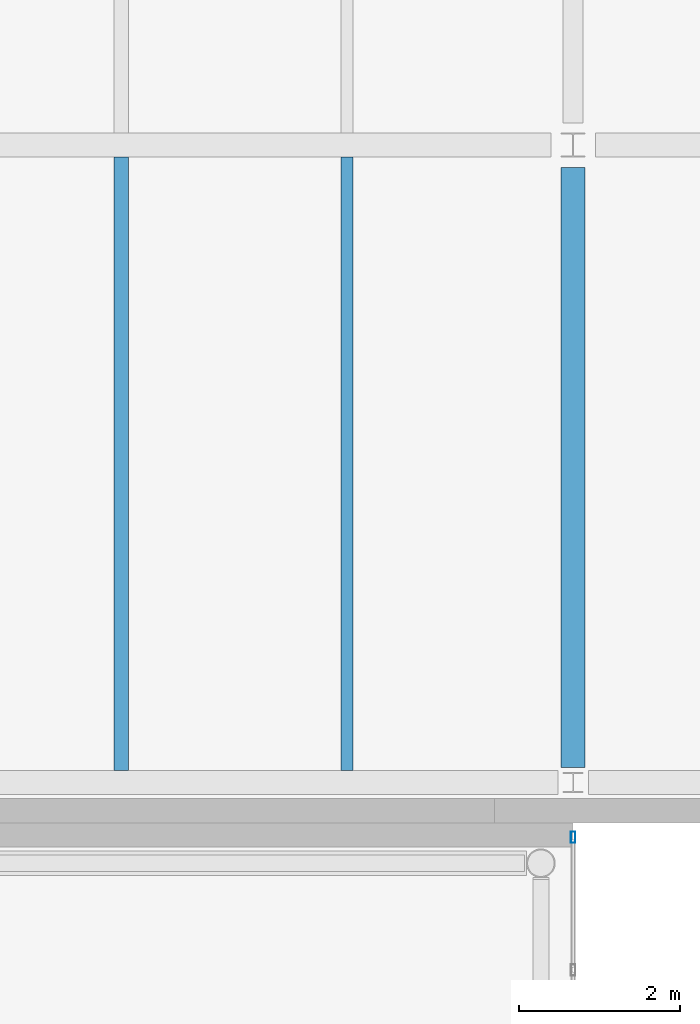
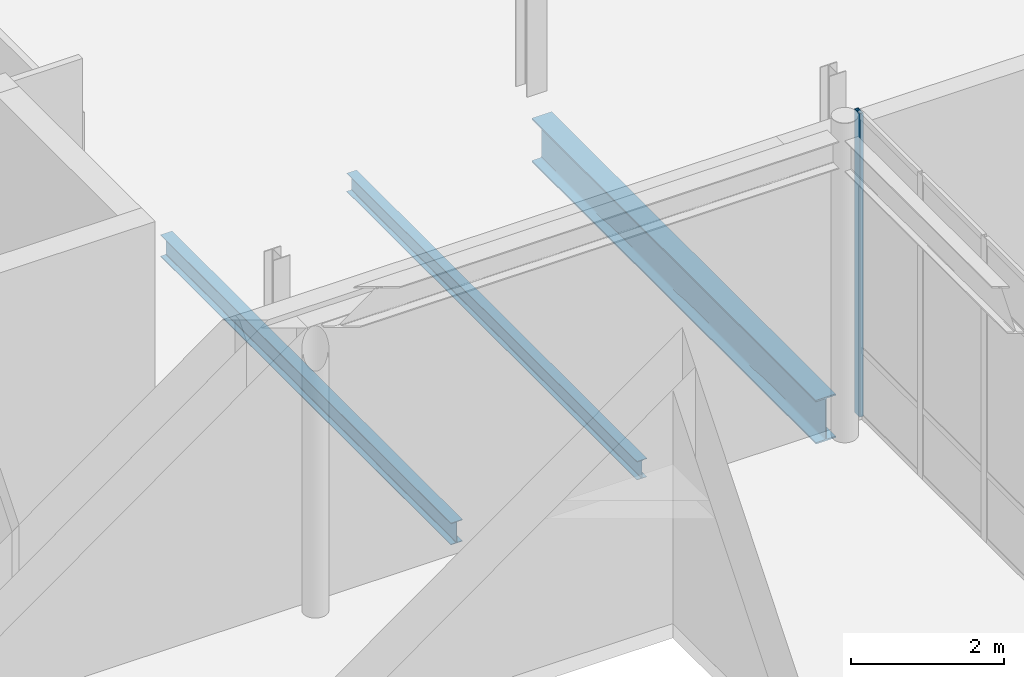
# One storey, part 49 of 91: 3 beams, 1 member, 1 element without a shape of its own.
"""IFC4 building model written with IfcOpenShell, lengths in metres."""

import ifcopenshell
import ifcopenshell.guid

model = None  # the IFC model being written
_history = None  # IfcOwnerHistory: only IFC2X3 demands one
_inside = {}  # id of a spatial element -> (the spatial element, [elements in it])
_under = {}  # id of a project, library or spatial element -> (it, [spatial elements below it])
_declared = {}  # id of a project -> (the project, [libraries it declares])
_typed = {}  # id of a type object -> (the type object, [elements of that type])
_made_of = {}  # id of a material, layer set ... -> (it, [elements and type objects made of it])


def new_model(schema):
    """Start an empty IFC model of exactly this schema.

    Asked for "IFC4X3", IfcOpenShell would pick the latest addendum, in which some entities
    have other attributes; the version numbers below select the first issue.
    IFC2X3 requires an IfcOwnerHistory on every rooted entity: one is made here for all.
    """
    global model, _history
    if schema == "IFC4X3":
        model = ifcopenshell.file(schema_version=(4, 3, 0, 0))
    else:
        model = ifcopenshell.file(schema=schema)
    _inside.clear()
    _under.clear()
    _declared.clear()
    _typed.clear()
    _made_of.clear()
    _history = None
    if model.schema == "IFC2X3":
        org = make("IfcOrganization", Name="unknown")
        user = make(
            "IfcPersonAndOrganization",
            ThePerson=make("IfcPerson", FamilyName="unknown"),
            TheOrganization=org,
        )
        app = make(
            "IfcApplication",
            ApplicationDeveloper=org,
            Version="unknown",
            ApplicationFullName="unknown",
            ApplicationIdentifier="unknown",
        )
        _history = make(
            "IfcOwnerHistory",
            OwningUser=user,
            OwningApplication=app,
            ChangeAction="ADDED",
            CreationDate=0,
        )
    return model


def make(cls, **values):
    """One entity of the class cls with the attributes given. An attribute that is None is left unset."""
    return model.create_entity(
        cls, **{name: value for name, value in values.items() if value is not None}
    )


def rooted(cls, **values):
    """An entity with a GlobalId (a new one), such as an element, a storey or a relation."""
    return make(cls, GlobalId=ifcopenshell.guid.new(), OwnerHistory=_history, **values)


def si_unit(unit_type, name, prefix=None):
    """IfcSIUnit, for example si_unit("LENGTHUNIT", "METRE", prefix="MILLI")."""
    return make("IfcSIUnit", UnitType=unit_type, Prefix=prefix, Name=name)


def assignment(units):
    """IfcUnitAssignment: the units of a project."""
    return None if units is None else make("IfcUnitAssignment", Units=units)


def point(xyz):
    """IfcCartesianPoint."""
    return None if xyz is None else make("IfcCartesianPoint", Coordinates=xyz)


def direction(xyz):
    """IfcDirection."""
    return None if xyz is None else make("IfcDirection", DirectionRatios=xyz)


def frame(location, z_axis=None, x_axis=None):
    """IfcAxis2Placement3D, a coordinate frame: its origin and axes. An axis left out is left unset."""
    return make(
        "IfcAxis2Placement3D",
        Location=point(location),
        Axis=direction(z_axis),
        RefDirection=direction(x_axis),
    )


def frame_2d(location, x_axis=None):
    """IfcAxis2Placement2D, a coordinate frame in the plane: its origin and x axis."""
    return make(
        "IfcAxis2Placement2D", Location=point(location), RefDirection=direction(x_axis)
    )


def origin():
    """The frame at (0, 0, 0) with its axes left unset."""
    return frame((0.0, 0.0, 0.0))


def origin_2d():
    """The frame at (0, 0) in the plane with its x axis left unset."""
    return frame_2d((0.0, 0.0))


def place(relative_to, where):
    """IfcLocalPlacement: puts the frame where relative to a parent placement (None: the world)."""
    return make(
        "IfcLocalPlacement", PlacementRelTo=relative_to, RelativePlacement=where
    )


def context(
    kind, dimensions, precision=None, world=None, true_north=None, identifier=None
):
    """IfcGeometricRepresentationContext, for example the 3D "Model" context."""
    return make(
        "IfcGeometricRepresentationContext",
        ContextIdentifier=identifier,
        ContextType=kind,
        CoordinateSpaceDimension=dimensions,
        Precision=precision,
        WorldCoordinateSystem=world,
        TrueNorth=true_north,
    )


def subcontext(parent, identifier, kind, view, scale=None):
    """IfcGeometricRepresentationSubContext, for example "Body" below "Model"."""
    return make(
        "IfcGeometricRepresentationSubContext",
        ContextIdentifier=identifier,
        ContextType=kind,
        ParentContext=parent,
        TargetScale=scale,
        TargetView=view,
    )


def project(units=None, contexts=None):
    """IfcProject with its units and contexts."""
    return rooted(
        "IfcProject",
        Name="project",
        RepresentationContexts=contexts,
        UnitsInContext=assignment(units),
    )


def spatial(cls, under=None, at=None, **own):
    """A site, building, storey or space (cls), placed at a placement, below another one or the project."""
    s = rooted(cls, ObjectPlacement=at, **own)
    if under is not None:
        _under.setdefault(under.id(), (under, []))[1].append(s)
    return s


def profile(cls, at=None, kind="AREA", **sizes):
    """A parametric profile (cls). Its sizes go by their IFC names, for example OverallWidth=200.0."""
    return make(cls, ProfileType=kind, Position=at, **sizes)


def hollow_rectangle(**sizes):
    """IfcRectangleHollowProfileDef."""
    return profile("IfcRectangleHollowProfileDef", **sizes)


def i_section(**sizes):
    """IfcIShapeProfileDef."""
    return profile("IfcIShapeProfileDef", **sizes)


def extrude(swept, where, along, depth):
    """IfcExtrudedAreaSolid: the profile swept, set in the frame where, extruded along a direction by depth."""
    return make(
        "IfcExtrudedAreaSolid",
        SweptArea=swept,
        Position=where,
        ExtrudedDirection=direction(along),
        Depth=depth,
    )


def shape(context_of_items, identifier, shape_type, items):
    """IfcShapeRepresentation: the items that make up one representation, for example the "Body"."""
    return make(
        "IfcShapeRepresentation",
        ContextOfItems=context_of_items,
        RepresentationIdentifier=identifier,
        RepresentationType=shape_type,
        Items=items,
    )


def material(Name=None, Category=None):
    """IfcMaterial."""
    return make("IfcMaterial", Name=Name, Category=Category)


def layer(
    of_material, thickness, ventilated=None, Name=None, Category=None, Priority=None
):
    """IfcMaterialLayer: one layer of a wall or slab, of a material (None: an air gap)."""
    return make(
        "IfcMaterialLayer",
        Material=of_material,
        LayerThickness=thickness,
        IsVentilated=ventilated,
        Name=Name,
        Category=Category,
        Priority=Priority,
    )


def layer_set(layers, Name=None):
    """IfcMaterialLayerSet."""
    return make("IfcMaterialLayerSet", MaterialLayers=layers, LayerSetName=Name)


def material_profile(
    of_material, cross_section, Name=None, Category=None, Priority=None
):
    """IfcMaterialProfile: a cross section and its material."""
    return make(
        "IfcMaterialProfile",
        Name=Name,
        Material=of_material,
        Profile=cross_section,
        Priority=Priority,
        Category=Category,
    )


def profile_set(profiles, Name=None, composite=None):
    """IfcMaterialProfileSet."""
    return make(
        "IfcMaterialProfileSet",
        Name=Name,
        MaterialProfiles=profiles,
        CompositeProfile=composite,
    )


def made_of(thing, what):
    """Note that an element or type object is made of a material, layer set ...; save() writes the relation."""
    if what is not None:
        _made_of.setdefault(what.id(), (what, []))[1].append(thing)
    return thing


def type_object(cls, material=None, **own):
    """A type object (cls), such as IfcWallType, which elements share."""
    return made_of(rooted(cls, **own), material)


def element(
    cls,
    number,
    at=None,
    inside=None,
    cuts=None,
    type_object=None,
    material=None,
    context=None,
    identifier="Body",
    shape_type=None,
    held_by="IfcProductDefinitionShape",
    body=None,
    shapes=None,
    **own,
):
    """One element of the class cls, such as IfcWall. Its Tag is "e" and its number.

    at: its placement. inside: the storey or other place that contains it. cuts: it is an
    opening in that element (IfcRelVoidsElement). A single representation is given by context,
    identifier, shape_type and body (its items); several are given by shapes. held_by: the class
    of the entity that holds the representations. save() writes the other relations.
    """
    e = rooted(cls, Tag="e%d" % number, ObjectPlacement=at, **own)
    if body is not None:
        shapes = [shape(context, identifier, shape_type, body)]
    if shapes is not None:
        e.Representation = make(held_by, Representations=shapes)
    if inside is not None:
        _inside.setdefault(inside.id(), (inside, []))[1].append(e)
    if cuts is not None:
        rooted(
            "IfcRelVoidsElement", RelatingBuildingElement=cuts, RelatedOpeningElement=e
        )
    if type_object is not None:
        _typed.setdefault(type_object.id(), (type_object, []))[1].append(e)
    return made_of(e, material)


def aggregate(whole, parts):
    """IfcRelAggregates: a whole, such as a stair, and the parts it consists of."""
    return rooted("IfcRelAggregates", RelatingObject=whole, RelatedObjects=parts)


def save(model, path):
    """Write the relations noted so far, then the file.

    IfcRelAggregates (storeys below a building ...), IfcRelContainedInSpatialStructure (elements
    in a storey), IfcRelDefinesByType, IfcRelAssociatesMaterial and IfcRelDeclares: one each for
    every whole, place, type object, material and project.
    """
    for whole, parts in _under.values():
        aggregate(whole, parts)
    for where, things in _inside.values():
        rooted(
            "IfcRelContainedInSpatialStructure",
            RelatedElements=things,
            RelatingStructure=where,
        )
    for kind, things in _typed.values():
        rooted("IfcRelDefinesByType", RelatedObjects=things, RelatingType=kind)
    for what, things in _made_of.values():
        rooted("IfcRelAssociatesMaterial", RelatedObjects=things, RelatingMaterial=what)
    for by, libraries in _declared.values():
        rooted("IfcRelDeclares", RelatingContext=by, RelatedDefinitions=libraries)
    model.write(path)


model = new_model("IFC4")

# Units and contexts
model_context = context("Model", 3, precision=1e-05, world=origin(), true_north=direction((0.0, 1.0)))
body_context = subcontext(model_context, "Body", "Model", "MODEL_VIEW")
ifc_project = project(units=[si_unit("LENGTHUNIT", "METRE"), si_unit("AREAUNIT", "SQUARE_METRE"), si_unit("VOLUMEUNIT", "CUBIC_METRE"), si_unit("PLANEANGLEUNIT", "RADIAN"), si_unit("MASSUNIT", "GRAM", prefix="KILO"), si_unit("THERMODYNAMICTEMPERATUREUNIT", "KELVIN")], contexts=[model_context])

# Site, building, storey
site_placement = place(None, origin())
site = spatial("IfcSite", under=ifc_project, at=site_placement, CompositionType="ELEMENT")
building_placement = place(site_placement, origin())
building = spatial("IfcBuilding", under=site, at=building_placement, Name="Lustrewick Department Store", CompositionType="ELEMENT")
storey_placement = place(building_placement, frame((0.0, 0.0, 21.60009765625)))
storey = spatial("IfcBuildingStorey", under=building, at=storey_placement, Name="L05", CompositionType="ELEMENT", Elevation=21.60009765625)

# Beams
ifc_material_1 = material(Name="Structural steel Q355B", Category="steel")
ifc_material_profile_1 = material_profile(ifc_material_1, i_section(OverallWidth=0.175048828125, OverallDepth=0.35009765625, WebThickness=0.007080078125, FlangeThickness=0.010986328125, FilletRadius=0.012939453125, at=origin_2d()), Name="HN 350x175x7x11")
ifc_profile_set_1 = profile_set([ifc_material_profile_1], Name="Structural steel Q355B")
beam_type_1 = type_object("IfcBeamType", Name="B09", PredefinedType="JOIST", material=ifc_profile_set_1)
beam_1_placement = place(storey_placement, frame((145.60009765625, 51.050048828125, -0.43017578125), z_axis=(0.0, 1.0, 0.0), x_axis=(-1.0, 0.0, 0.0)))
element("IfcBeam", 1, at=beam_1_placement, inside=storey, type_object=beam_type_1, Name="L05 V4 Secondary Joist B09", PredefinedType="JOIST", context=body_context, shape_type="SweptSolid", body=[
    extrude(i_section(OverallWidth=0.175048828125, OverallDepth=0.35009765625, WebThickness=0.007080078125, FlangeThickness=0.010986328125, FilletRadius=0.012939453125, at=origin_2d()), origin(), (0.0, 0.0, 1.0), 7.600341796875),
])
ifc_material_profile_2 = material_profile(ifc_material_1, i_section(OverallWidth=0.14892578125, OverallDepth=0.298095703125, WebThickness=0.005615234375, FlangeThickness=0.008056640625, FilletRadius=0.011962890625, at=origin_2d()), Name="HN 298x149x5.5x8")
ifc_profile_set_2 = profile_set([ifc_material_profile_2], Name="Structural steel Q355B")
beam_type_2 = type_object("IfcBeamType", Name="B12", PredefinedType="JOIST", material=ifc_profile_set_2)
beam_2_placement = place(storey_placement, frame((148.39990234375, 51.050048828125, -0.404052734375), z_axis=(0.0, 1.0, 0.0), x_axis=(-1.0, 0.0, 0.0)))
element("IfcBeam", 2, at=beam_2_placement, inside=storey, type_object=beam_type_2, Name="L05 V4 Secondary Joist B12", PredefinedType="JOIST", context=body_context, shape_type="SweptSolid", body=[
    extrude(i_section(OverallWidth=0.14892578125, OverallDepth=0.298095703125, WebThickness=0.005615234375, FlangeThickness=0.008056640625, FilletRadius=0.011962890625, at=origin_2d()), origin(), (0.0, 0.0, 1.0), 7.600341796875),
])

# Curtain wall, member
ifc_material_2 = material(Name="Thermally broken aluminium 6063-T5", Category="aluminium")
ifc_layer = layer(ifc_material_2, 0.139892578125, Name="Thermally broken aluminium 6063-T5")
ifc_layer_set = layer_set([ifc_layer], Name="Thermally broken aluminium 6063-T5")
curtain_wall_type = type_object("IfcCurtainWallType", Name="CW15", PredefinedType="NOTDEFINED", material=ifc_layer_set)
curtain_wall_placement = place(storey_placement, origin())
curtain_wall = element("IfcCurtainWall", 3, at=curtain_wall_placement, inside=storey, type_object=curtain_wall_type, Name="L05 V3 Curtain Wall CW15", PredefinedType="NOTDEFINED")
ifc_material_profile_3 = material_profile(ifc_material_2, hollow_rectangle(XDim=0.054931640625, YDim=0.139892578125, WallThickness=0.00341796875, at=origin_2d()), Name="ALU-M 55x140x3.5")
ifc_profile_set_3 = profile_set([ifc_material_profile_3], Name="Thermally broken aluminium 6063-T5")
member_type = type_object("IfcMemberType", Name="CW15-M1", PredefinedType="MULLION", material=ifc_profile_set_3)
member_placement = place(storey_placement, frame((151.199951171875, 50.222412109375, 0.0), z_axis=(0.0, 0.0, 1.0), x_axis=(-1.0, 0.0, 0.0)))
member = element("IfcMember", 4, at=member_placement, type_object=member_type, Name="CW15 mullion 6", PredefinedType="MULLION", context=body_context, shape_type="SweptSolid", body=[
    extrude(hollow_rectangle(XDim=0.054931640625, YDim=0.139892578125, WallThickness=0.00341796875, at=origin_2d()), origin(), (0.0, 0.0, 1.0), 4.844970703125),
])
aggregate(curtain_wall, [member])

# Beam
ifc_material_profile_4 = material_profile(ifc_material_1, i_section(OverallWidth=0.300048828125, OverallDepth=0.699951171875, WebThickness=0.012939453125, FlangeThickness=0.02392578125, FilletRadius=0.02001953125, at=origin_2d()), Name="HN 700x300x13x24")
ifc_profile_set_4 = profile_set([ifc_material_profile_4], Name="Structural steel Q355B")
beam_type_3 = type_object("IfcBeamType", Name="G08", PredefinedType="BEAM", material=ifc_profile_set_4)
beam_3_placement = place(storey_placement, frame((151.199951171875, 51.08837890625, -0.60498046875), z_axis=(0.0, 1.0, 0.0), x_axis=(-1.0, 0.0, 0.0)))
element("IfcBeam", 5, at=beam_3_placement, inside=storey, type_object=beam_type_3, Name="L05 V4 Girder G08", PredefinedType="BEAM", context=body_context, shape_type="SweptSolid", body=[
    extrude(i_section(OverallWidth=0.300048828125, OverallDepth=0.699951171875, WebThickness=0.012939453125, FlangeThickness=0.02392578125, FilletRadius=0.02001953125, at=origin_2d()), origin(), (0.0, 0.0, 1.0), 7.4365234375),
])

save(model, "model.ifc")
